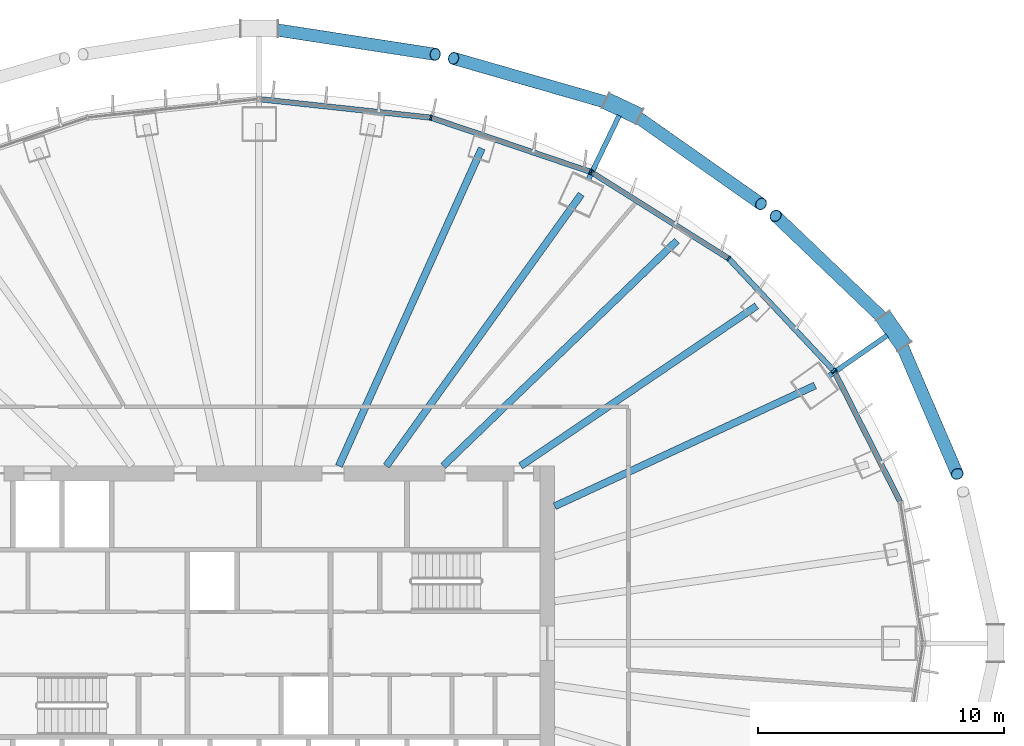
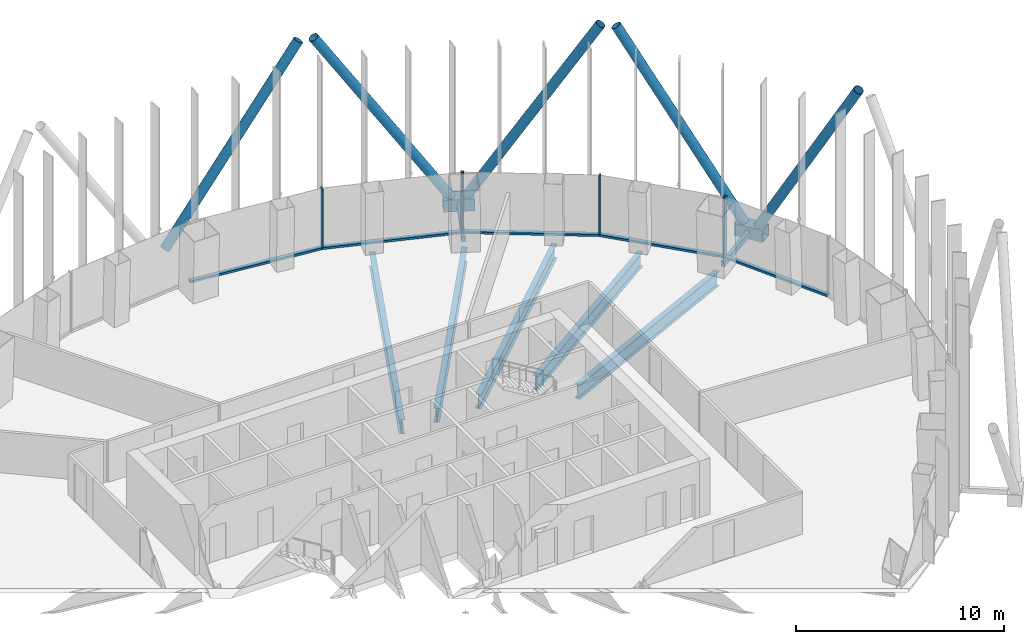
# One storey, part 5 of 21: 20 members, 5 beams, 3 elements without a shape of their own.
"""IFC4 building model written with IfcOpenShell, lengths in metres."""

import ifcopenshell
import ifcopenshell.guid

model = None  # the IFC model being written
_history = None  # IfcOwnerHistory: only IFC2X3 demands one
_inside = {}  # id of a spatial element -> (the spatial element, [elements in it])
_under = {}  # id of a project, library or spatial element -> (it, [spatial elements below it])
_declared = {}  # id of a project -> (the project, [libraries it declares])
_typed = {}  # id of a type object -> (the type object, [elements of that type])
_made_of = {}  # id of a material, layer set ... -> (it, [elements and type objects made of it])


def new_model(schema):
    """Start an empty IFC model of exactly this schema.

    Asked for "IFC4X3", IfcOpenShell would pick the latest addendum, in which some entities
    have other attributes; the version numbers below select the first issue.
    IFC2X3 requires an IfcOwnerHistory on every rooted entity: one is made here for all.
    """
    global model, _history
    if schema == "IFC4X3":
        model = ifcopenshell.file(schema_version=(4, 3, 0, 0))
    else:
        model = ifcopenshell.file(schema=schema)
    _inside.clear()
    _under.clear()
    _declared.clear()
    _typed.clear()
    _made_of.clear()
    _history = None
    if model.schema == "IFC2X3":
        org = make("IfcOrganization", Name="unknown")
        user = make(
            "IfcPersonAndOrganization",
            ThePerson=make("IfcPerson", FamilyName="unknown"),
            TheOrganization=org,
        )
        app = make(
            "IfcApplication",
            ApplicationDeveloper=org,
            Version="unknown",
            ApplicationFullName="unknown",
            ApplicationIdentifier="unknown",
        )
        _history = make(
            "IfcOwnerHistory",
            OwningUser=user,
            OwningApplication=app,
            ChangeAction="ADDED",
            CreationDate=0,
        )
    return model


def make(cls, **values):
    """One entity of the class cls with the attributes given. An attribute that is None is left unset."""
    return model.create_entity(
        cls, **{name: value for name, value in values.items() if value is not None}
    )


def rooted(cls, **values):
    """An entity with a GlobalId (a new one), such as an element, a storey or a relation."""
    return make(cls, GlobalId=ifcopenshell.guid.new(), OwnerHistory=_history, **values)


def si_unit(unit_type, name, prefix=None):
    """IfcSIUnit, for example si_unit("LENGTHUNIT", "METRE", prefix="MILLI")."""
    return make("IfcSIUnit", UnitType=unit_type, Prefix=prefix, Name=name)


def assignment(units):
    """IfcUnitAssignment: the units of a project."""
    return None if units is None else make("IfcUnitAssignment", Units=units)


def point(xyz):
    """IfcCartesianPoint."""
    return None if xyz is None else make("IfcCartesianPoint", Coordinates=xyz)


def direction(xyz):
    """IfcDirection."""
    return None if xyz is None else make("IfcDirection", DirectionRatios=xyz)


def frame(location, z_axis=None, x_axis=None):
    """IfcAxis2Placement3D, a coordinate frame: its origin and axes. An axis left out is left unset."""
    return make(
        "IfcAxis2Placement3D",
        Location=point(location),
        Axis=direction(z_axis),
        RefDirection=direction(x_axis),
    )


def frame_2d(location, x_axis=None):
    """IfcAxis2Placement2D, a coordinate frame in the plane: its origin and x axis."""
    return make(
        "IfcAxis2Placement2D", Location=point(location), RefDirection=direction(x_axis)
    )


def origin():
    """The frame at (0, 0, 0) with its axes left unset."""
    return frame((0.0, 0.0, 0.0))


def origin_2d():
    """The frame at (0, 0) in the plane with its x axis left unset."""
    return frame_2d((0.0, 0.0))


def place(relative_to, where):
    """IfcLocalPlacement: puts the frame where relative to a parent placement (None: the world)."""
    return make(
        "IfcLocalPlacement", PlacementRelTo=relative_to, RelativePlacement=where
    )


def context(
    kind, dimensions, precision=None, world=None, true_north=None, identifier=None
):
    """IfcGeometricRepresentationContext, for example the 3D "Model" context."""
    return make(
        "IfcGeometricRepresentationContext",
        ContextIdentifier=identifier,
        ContextType=kind,
        CoordinateSpaceDimension=dimensions,
        Precision=precision,
        WorldCoordinateSystem=world,
        TrueNorth=true_north,
    )


def subcontext(parent, identifier, kind, view, scale=None):
    """IfcGeometricRepresentationSubContext, for example "Body" below "Model"."""
    return make(
        "IfcGeometricRepresentationSubContext",
        ContextIdentifier=identifier,
        ContextType=kind,
        ParentContext=parent,
        TargetScale=scale,
        TargetView=view,
    )


def project(units=None, contexts=None):
    """IfcProject with its units and contexts."""
    return rooted(
        "IfcProject",
        Name="project",
        RepresentationContexts=contexts,
        UnitsInContext=assignment(units),
    )


def spatial(cls, under=None, at=None, **own):
    """A site, building, storey or space (cls), placed at a placement, below another one or the project."""
    s = rooted(cls, ObjectPlacement=at, **own)
    if under is not None:
        _under.setdefault(under.id(), (under, []))[1].append(s)
    return s


def profile(cls, at=None, kind="AREA", **sizes):
    """A parametric profile (cls). Its sizes go by their IFC names, for example OverallWidth=200.0."""
    return make(cls, ProfileType=kind, Position=at, **sizes)


def rectangle(**sizes):
    """IfcRectangleProfileDef."""
    return profile("IfcRectangleProfileDef", **sizes)


def hollow_rectangle(**sizes):
    """IfcRectangleHollowProfileDef."""
    return profile("IfcRectangleHollowProfileDef", **sizes)


def hollow_circle(**sizes):
    """IfcCircleHollowProfileDef."""
    return profile("IfcCircleHollowProfileDef", **sizes)


def i_section(**sizes):
    """IfcIShapeProfileDef."""
    return profile("IfcIShapeProfileDef", **sizes)


def extrude(swept, where, along, depth):
    """IfcExtrudedAreaSolid: the profile swept, set in the frame where, extruded along a direction by depth."""
    return make(
        "IfcExtrudedAreaSolid",
        SweptArea=swept,
        Position=where,
        ExtrudedDirection=direction(along),
        Depth=depth,
    )


def shape(context_of_items, identifier, shape_type, items):
    """IfcShapeRepresentation: the items that make up one representation, for example the "Body"."""
    return make(
        "IfcShapeRepresentation",
        ContextOfItems=context_of_items,
        RepresentationIdentifier=identifier,
        RepresentationType=shape_type,
        Items=items,
    )


def material(Name=None, Category=None):
    """IfcMaterial."""
    return make("IfcMaterial", Name=Name, Category=Category)


def layer(
    of_material, thickness, ventilated=None, Name=None, Category=None, Priority=None
):
    """IfcMaterialLayer: one layer of a wall or slab, of a material (None: an air gap)."""
    return make(
        "IfcMaterialLayer",
        Material=of_material,
        LayerThickness=thickness,
        IsVentilated=ventilated,
        Name=Name,
        Category=Category,
        Priority=Priority,
    )


def layer_set(layers, Name=None):
    """IfcMaterialLayerSet."""
    return make("IfcMaterialLayerSet", MaterialLayers=layers, LayerSetName=Name)


def material_profile(
    of_material, cross_section, Name=None, Category=None, Priority=None
):
    """IfcMaterialProfile: a cross section and its material."""
    return make(
        "IfcMaterialProfile",
        Name=Name,
        Material=of_material,
        Profile=cross_section,
        Priority=Priority,
        Category=Category,
    )


def profile_set(profiles, Name=None, composite=None):
    """IfcMaterialProfileSet."""
    return make(
        "IfcMaterialProfileSet",
        Name=Name,
        MaterialProfiles=profiles,
        CompositeProfile=composite,
    )


def made_of(thing, what):
    """Note that an element or type object is made of a material, layer set ...; save() writes the relation."""
    if what is not None:
        _made_of.setdefault(what.id(), (what, []))[1].append(thing)
    return thing


def type_object(cls, material=None, **own):
    """A type object (cls), such as IfcWallType, which elements share."""
    return made_of(rooted(cls, **own), material)


def element(
    cls,
    number,
    at=None,
    inside=None,
    cuts=None,
    type_object=None,
    material=None,
    context=None,
    identifier="Body",
    shape_type=None,
    held_by="IfcProductDefinitionShape",
    body=None,
    shapes=None,
    **own,
):
    """One element of the class cls, such as IfcWall. Its Tag is "e" and its number.

    at: its placement. inside: the storey or other place that contains it. cuts: it is an
    opening in that element (IfcRelVoidsElement). A single representation is given by context,
    identifier, shape_type and body (its items); several are given by shapes. held_by: the class
    of the entity that holds the representations. save() writes the other relations.
    """
    e = rooted(cls, Tag="e%d" % number, ObjectPlacement=at, **own)
    if body is not None:
        shapes = [shape(context, identifier, shape_type, body)]
    if shapes is not None:
        e.Representation = make(held_by, Representations=shapes)
    if inside is not None:
        _inside.setdefault(inside.id(), (inside, []))[1].append(e)
    if cuts is not None:
        rooted(
            "IfcRelVoidsElement", RelatingBuildingElement=cuts, RelatedOpeningElement=e
        )
    if type_object is not None:
        _typed.setdefault(type_object.id(), (type_object, []))[1].append(e)
    return made_of(e, material)


def aggregate(whole, parts):
    """IfcRelAggregates: a whole, such as a stair, and the parts it consists of."""
    return rooted("IfcRelAggregates", RelatingObject=whole, RelatedObjects=parts)


def save(model, path):
    """Write the relations noted so far, then the file.

    IfcRelAggregates (storeys below a building ...), IfcRelContainedInSpatialStructure (elements
    in a storey), IfcRelDefinesByType, IfcRelAssociatesMaterial and IfcRelDeclares: one each for
    every whole, place, type object, material and project.
    """
    for whole, parts in _under.values():
        aggregate(whole, parts)
    for where, things in _inside.values():
        rooted(
            "IfcRelContainedInSpatialStructure",
            RelatedElements=things,
            RelatingStructure=where,
        )
    for kind, things in _typed.values():
        rooted("IfcRelDefinesByType", RelatedObjects=things, RelatingType=kind)
    for what, things in _made_of.values():
        rooted("IfcRelAssociatesMaterial", RelatedObjects=things, RelatingMaterial=what)
    for by, libraries in _declared.values():
        rooted("IfcRelDeclares", RelatingContext=by, RelatedDefinitions=libraries)
    model.write(path)


model = new_model("IFC4")

# Units and contexts
model_context = context("Model", 3, precision=1e-05, world=origin(), true_north=direction((0.0, 1.0)))
body_context = subcontext(model_context, "Body", "Model", "MODEL_VIEW")
ifc_project = project(units=[si_unit("LENGTHUNIT", "METRE"), si_unit("AREAUNIT", "SQUARE_METRE"), si_unit("VOLUMEUNIT", "CUBIC_METRE"), si_unit("PLANEANGLEUNIT", "RADIAN"), si_unit("MASSUNIT", "GRAM", prefix="KILO")], contexts=[model_context])

# Site, building, storey
site_placement = place(None, origin())
site = spatial("IfcSite", under=ifc_project, at=site_placement, CompositionType="ELEMENT")
building_placement = place(site_placement, origin())
building = spatial("IfcBuilding", under=site, at=building_placement, Name="Siaravel Broadcast Tower", CompositionType="ELEMENT")
storey_placement = place(building_placement, frame((0.0, 0.0, 70.39990234375)))
storey = spatial("IfcBuildingStorey", under=building, at=storey_placement, Name="L16", CompositionType="ELEMENT", Elevation=70.39990234375)

# Beams
ifc_material_1 = material(Name="Steel S355", Category="steel")
ifc_material_profile_1 = material_profile(ifc_material_1, i_section(OverallWidth=0.291748046875, OverallDepth=0.8349609375, WebThickness=0.013916015625, FlangeThickness=0.018798828125, FilletRadius=0.017822265625, at=origin_2d()))
ifc_profile_set_1 = profile_set([ifc_material_profile_1], Name="Steel S355")
beam_type = type_object("IfcBeamType", Name="BM-UB 838x292x176", PredefinedType="BEAM", material=ifc_profile_set_1)
beam_1_placement = place(storey_placement, frame((22.5751953125, 10.467529296875, -0.5673828125), z_axis=(-0.907224841, -0.420646036, 0.0), x_axis=(0.420646036, -0.907224841, 0.0)))
element("IfcBeam", 1, at=beam_1_placement, inside=storey, type_object=beam_type, Name="Radial beam RB04", PredefinedType="BEAM", context=body_context, shape_type="SweptSolid", body=[
    extrude(i_section(OverallWidth=0.291748046875, OverallDepth=0.8349609375, WebThickness=0.013916015625, FlangeThickness=0.018798828125, FilletRadius=0.017822265625, at=origin_2d()), origin(), (0.0, 0.0, 1.0), 11.65673828125),
])
beam_2_placement = place(storey_placement, frame((20.205322265625, 13.69921875, -0.5673828125), z_axis=(-0.827695388, -0.561177641, 0.0), x_axis=(0.561177641, -0.827695388, 0.0)))
element("IfcBeam", 2, at=beam_2_placement, inside=storey, type_object=beam_type, Name="Radial beam RB05", PredefinedType="BEAM", context=body_context, shape_type="SweptSolid", body=[
    extrude(i_section(OverallWidth=0.291748046875, OverallDepth=0.8349609375, WebThickness=0.013916015625, FlangeThickness=0.018798828125, FilletRadius=0.017822265625, at=origin_2d()), origin(), (0.0, 0.0, 1.0), 11.58154296875),
])
beam_3_placement = place(storey_placement, frame((16.97021484375, 16.348876953125, -0.5673828125), z_axis=(-0.72016602, -0.693801775, 0.0), x_axis=(0.693801775, -0.72016602, 0.0)))
element("IfcBeam", 3, at=beam_3_placement, inside=storey, type_object=beam_type, Name="Radial beam RB06", PredefinedType="BEAM", context=body_context, shape_type="SweptSolid", body=[
    extrude(i_section(OverallWidth=0.291748046875, OverallDepth=0.8349609375, WebThickness=0.013916015625, FlangeThickness=0.018798828125, FilletRadius=0.017822265625, at=origin_2d()), origin(), (0.0, 0.0, 1.0), 13.186767578125),
])
beam_4_placement = place(storey_placement, frame((13.08251953125, 18.233642578125, -0.5673828125), z_axis=(-0.582957933, -0.812502338, 0.0), x_axis=(0.812502338, -0.582957933, 0.0)))
element("IfcBeam", 4, at=beam_4_placement, inside=storey, type_object=beam_type, Name="Radial beam RB07", PredefinedType="BEAM", context=body_context, shape_type="SweptSolid", body=[
    extrude(i_section(OverallWidth=0.291748046875, OverallDepth=0.8349609375, WebThickness=0.013916015625, FlangeThickness=0.018798828125, FilletRadius=0.017822265625, at=origin_2d()), origin(), (0.0, 0.0, 1.0), 13.579833984375),
])
beam_5_placement = place(storey_placement, frame((9.0419921875, 20.096923828125, -0.5673828125), z_axis=(-0.410297202, -0.911951866, 0.0), x_axis=(0.911951866, -0.410297202, 0.0)))
element("IfcBeam", 5, at=beam_5_placement, inside=storey, type_object=beam_type, Name="Radial beam RB08", PredefinedType="BEAM", context=body_context, shape_type="SweptSolid", body=[
    extrude(i_section(OverallWidth=0.291748046875, OverallDepth=0.8349609375, WebThickness=0.013916015625, FlangeThickness=0.018798828125, FilletRadius=0.017822265625, at=origin_2d()), origin(), (0.0, 0.0, 1.0), 14.14208984375),
])

# Curtain wall, member
ifc_material_2 = material(Name="Aluminium 6063-T6", Category="aluminium")
ifc_layer = layer(ifc_material_2, 0.219970703125)
ifc_layer_set = layer_set([ifc_layer], Name="Aluminium 6063-T6")
curtain_wall_type = type_object("IfcCurtainWallType", Name="Unitised curtain wall, zone 1", PredefinedType="NOTDEFINED", material=ifc_layer_set)
curtain_wall_1_placement = place(storey_placement, origin())
curtain_wall_1 = element("IfcCurtainWall", 6, at=curtain_wall_1_placement, inside=storey, type_object=curtain_wall_type, Name="L16 Unitised curtain wall, zone 1 01", PredefinedType="NOTDEFINED")
ifc_material_profile_2 = material_profile(ifc_material_2, rectangle(XDim=0.219970703125, YDim=0.070068359375, at=origin_2d()))
ifc_profile_set_2 = profile_set([ifc_material_profile_2], Name="Aluminium 6063-T6")
member_type_1 = type_object("IfcMemberType", Name="CW-Z1 mullion", PredefinedType="MULLION", material=ifc_profile_set_2)
member_1_placement = place(storey_placement, frame((23.364501953125, 11.020263671875, 0.0), z_axis=(0.0, 0.0, 1.0), x_axis=(-0.892392184, -0.451260668, 0.0)))
member_1 = element("IfcMember", 7, at=member_1_placement, type_object=member_type_1, Name="CW-Z1 mullion 3", PredefinedType="MULLION", context=body_context, shape_type="SweptSolid", body=[
    extrude(rectangle(XDim=0.219970703125, YDim=0.070068359375, at=origin_2d()), origin(), (0.0, 0.0, 1.0), 3.550048828125),
])

# Curtain wall, members
curtain_wall_2_placement = place(storey_placement, origin())
curtain_wall_2 = element("IfcCurtainWall", 8, at=curtain_wall_2_placement, inside=storey, type_object=curtain_wall_type, Name="L16 Unitised curtain wall, zone 1 02", PredefinedType="NOTDEFINED")
member_2_placement = place(storey_placement, frame((23.32470703125, 11.076904296875, 0.0), z_axis=(0.0, 0.0, 1.0), x_axis=(-0.729805583, -0.683654746, 0.0)))
member_2 = element("IfcMember", 9, at=member_2_placement, type_object=member_type_1, Name="CW-Z1 mullion 1", PredefinedType="MULLION", context=body_context, shape_type="SweptSolid", body=[
    extrude(rectangle(XDim=0.219970703125, YDim=0.070068359375, at=origin_2d()), origin(), (0.0, 0.0, 1.0), 3.550048828125),
])
member_3_placement = place(storey_placement, frame((19.0625, 15.627197265625, 0.0), z_axis=(0.0, 0.0, 1.0), x_axis=(-0.63621907, -0.771508454, 0.0)))
member_3 = element("IfcMember", 10, at=member_3_placement, type_object=member_type_1, Name="CW-Z1 mullion 2", PredefinedType="MULLION", context=body_context, shape_type="SweptSolid", body=[
    extrude(rectangle(XDim=0.219970703125, YDim=0.070068359375, at=origin_2d()), origin(), (0.0, 0.0, 1.0), 3.550048828125),
])
member_4_placement = place(storey_placement, frame((13.5078125, 19.118408203125, 0.0), z_axis=(0.0, 0.0, 1.0), x_axis=(-0.532149761, -0.846650242, 0.0)))
member_4 = element("IfcMember", 11, at=member_4_placement, type_object=member_type_1, Name="CW-Z1 mullion 3", PredefinedType="MULLION", context=body_context, shape_type="SweptSolid", body=[
    extrude(rectangle(XDim=0.219970703125, YDim=0.070068359375, at=origin_2d()), origin(), (0.0, 0.0, 1.0), 3.550048828125),
])

curtain_wall_3_placement = place(storey_placement, origin())
curtain_wall_3 = element("IfcCurtainWall", 12, at=curtain_wall_3_placement, inside=storey, type_object=curtain_wall_type, Name="L16 Unitised curtain wall, zone 1 03", PredefinedType="NOTDEFINED")
member_5_placement = place(storey_placement, frame((13.445068359375, 19.148193359375, 0.0), z_axis=(0.0, 0.0, 1.0), x_axis=(-0.321301105, -0.946977085, 0.0)))
member_5 = element("IfcMember", 13, at=member_5_placement, type_object=member_type_1, Name="CW-Z1 mullion 1", PredefinedType="MULLION", context=body_context, shape_type="SweptSolid", body=[
    extrude(rectangle(XDim=0.219970703125, YDim=0.070068359375, at=origin_2d()), origin(), (0.0, 0.0, 1.0), 3.550048828125),
])
member_6_placement = place(storey_placement, frame((6.9765625, 21.343017578125, 0.0), z_axis=(0.0, 0.0, 1.0), x_axis=(-0.21555841, -0.976490948, 0.0)))
member_6 = element("IfcMember", 14, at=member_6_placement, type_object=member_type_1, Name="CW-Z1 mullion 2", PredefinedType="MULLION", context=body_context, shape_type="SweptSolid", body=[
    extrude(rectangle(XDim=0.219970703125, YDim=0.070068359375, at=origin_2d()), origin(), (0.0, 0.0, 1.0), 3.550048828125),
])

# Member
ifc_material_profile_3 = material_profile(ifc_material_2, rectangle(XDim=0.219970703125, YDim=0.1201171875, at=origin_2d()))
ifc_profile_set_3 = profile_set([ifc_material_profile_3], Name="Aluminium 6063-T6")
member_type_2 = type_object("IfcMemberType", Name="CW-Z1 transom", PredefinedType="USERDEFINED", material=ifc_profile_set_3)
member_7_placement = place(storey_placement, frame((26.0283203125, 5.75244140625, 0.06005859375), z_axis=(-0.451253077, 0.892396022, 0.0), x_axis=(-0.892396022, -0.451253077, 0.0)))
member_7 = element("IfcMember", 15, at=member_7_placement, type_object=member_type_2, Name="CW-Z1 transom 2", ObjectType="TRANSOM", PredefinedType="USERDEFINED", context=body_context, shape_type="SweptSolid", body=[
    extrude(rectangle(XDim=0.219970703125, YDim=0.1201171875, at=origin_2d()), origin(), (0.0, 0.0, 1.0), 5.867919921875),
])

aggregate(curtain_wall_1, [member_1, member_7])

member_8_placement = place(storey_placement, frame((23.30078125, 11.1025390625, 0.06005859375), z_axis=(-0.683640708, 0.729818733, 0.0), x_axis=(-0.729818733, -0.683640708, 0.0)))
member_8 = element("IfcMember", 16, at=member_8_placement, type_object=member_type_2, Name="CW-Z1 transom 1", ObjectType="TRANSOM", PredefinedType="USERDEFINED", context=body_context, shape_type="SweptSolid", body=[
    extrude(rectangle(XDim=0.219970703125, YDim=0.1201171875, at=origin_2d()), origin(), (0.0, 0.0, 1.0), 6.16455078125),
])

member_9_placement = place(storey_placement, frame((19.03271484375, 15.645751953125, 0.06005859375), z_axis=(-0.846662211, 0.532130717, 0.0), x_axis=(-0.532130717, -0.846662211, 0.0)))
member_9 = element("IfcMember", 17, at=member_9_placement, type_object=member_type_2, Name="CW-Z1 transom 2", ObjectType="TRANSOM", PredefinedType="USERDEFINED", context=body_context, shape_type="SweptSolid", body=[
    extrude(rectangle(XDim=0.219970703125, YDim=0.1201171875, at=origin_2d()), origin(), (0.0, 0.0, 1.0), 6.49072265625),
])

aggregate(curtain_wall_2, [member_2, member_3, member_4, member_8, member_9])

member_10_placement = place(storey_placement, frame((13.411865234375, 19.159423828125, 0.06005859375), z_axis=(-0.946972422, 0.321314849, 0.0), x_axis=(-0.321314849, -0.946972422, 0.0)))
member_10 = element("IfcMember", 18, at=member_10_placement, type_object=member_type_2, Name="CW-Z1 transom 1", ObjectType="TRANSOM", PredefinedType="USERDEFINED", context=body_context, shape_type="SweptSolid", body=[
    extrude(rectangle(XDim=0.219970703125, YDim=0.1201171875, at=origin_2d()), origin(), (0.0, 0.0, 1.0), 6.7607421875),
])

member_11_placement = place(storey_placement, frame((6.941650390625, 21.3466796875, 0.06005859375), z_axis=(-0.99423354, 0.107236501, 0.0), x_axis=(-0.107236501, -0.99423354, 0.0)))
member_11 = element("IfcMember", 19, at=member_11_placement, type_object=member_type_2, Name="CW-Z1 transom 2", ObjectType="TRANSOM", PredefinedType="USERDEFINED", context=body_context, shape_type="SweptSolid", body=[
    extrude(rectangle(XDim=0.219970703125, YDim=0.1201171875, at=origin_2d()), origin(), (0.0, 0.0, 1.0), 6.911865234375),
])

aggregate(curtain_wall_3, [member_5, member_6, member_10, member_11])

# Members
ifc_material_3 = material(Name="Steel S460", Category="steel")
ifc_material_profile_4 = material_profile(ifc_material_3, hollow_circle(Radius=0.25390625, WallThickness=0.02001953125, at=origin_2d()))
ifc_profile_set_4 = profile_set([ifc_material_profile_4], Name="Steel S460")
member_type_3 = type_object("IfcMemberType", Name="Diagrid diagonal CHS 508x20", PredefinedType="BRACE", material=ifc_profile_set_4)
member_12_placement = place(storey_placement, frame((25.984375, 12.367919921875, 0.1201171875), z_axis=(0.196300242, -0.455899612, 0.868113909), x_axis=(0.918476496, 0.395475569, 0.0)))
element("IfcMember", 20, at=member_12_placement, inside=storey, type_object=member_type_3, Name="Diagrid diagonal R07 station 06C", PredefinedType="BRACE", context=body_context, shape_type="SweptSolid", body=[
    extrude(hollow_circle(Radius=0.25390625, WallThickness=0.02001953125, at=origin_2d()), origin(), (0.0, 0.0, 1.0), 12.049072265625),
])
member_13_placement = place(storey_placement, frame((25.547119140625, 12.988037109375, 0.1201171875), z_axis=(-0.37426482, 0.357569586, 0.855610797), x_axis=(-0.690795924, -0.723049785, 0.0)))
element("IfcMember", 21, at=member_13_placement, inside=storey, type_object=member_type_3, Name="Diagrid diagonal R07 station 06A", PredefinedType="BRACE", context=body_context, shape_type="SweptSolid", body=[
    extrude(hollow_circle(Radius=0.25390625, WallThickness=0.02001953125, at=origin_2d()), origin(), (0.0, 0.0, 1.0), 12.22509765625),
])
member_14_placement = place(storey_placement, frame((15.103515625, 21.552490234375, 0.1201171875), z_axis=(0.429662089, -0.302026707, 0.850981996), x_axis=(0.575075518, 0.818100329, 0.0)))
element("IfcMember", 22, at=member_14_placement, inside=storey, type_object=member_type_3, Name="Diagrid diagonal R07 station 12C", PredefinedType="BRACE", context=body_context, shape_type="SweptSolid", body=[
    extrude(hollow_circle(Radius=0.25390625, WallThickness=0.02001953125, at=origin_2d()), origin(), (0.0, 0.0, 1.0), 12.291748046875),
])
member_15_placement = place(storey_placement, frame((14.41748046875, 21.876953125, 0.1201171875), z_axis=(-0.523174045, 0.150406909, 0.838848425), x_axis=(-0.276297874, -0.96107205, 0.0)))
element("IfcMember", 23, at=member_15_placement, inside=storey, type_object=member_type_3, Name="Diagrid diagonal R07 station 12A", PredefinedType="BRACE", context=body_context, shape_type="SweptSolid", body=[
    extrude(hollow_circle(Radius=0.25390625, WallThickness=0.02001953125, at=origin_2d()), origin(), (0.0, 0.0, 1.0), 12.469482421875),
])
member_16_placement = place(storey_placement, frame((0.37939453125, 24.9599609375, 0.1201171875), z_axis=(0.541632288, -0.083559319, 0.836452213), x_axis=(0.152469417, 0.988308189, 0.0)))
element("IfcMember", 24, at=member_16_placement, inside=storey, type_object=member_type_3, Name="Diagrid diagonal R07 station 18C", PredefinedType="BRACE", context=body_context, shape_type="SweptSolid", body=[
    extrude(hollow_circle(Radius=0.25390625, WallThickness=0.02001953125, at=origin_2d()), origin(), (0.0, 0.0, 1.0), 12.505126953125),
])
ifc_material_profile_5 = material_profile(ifc_material_3, hollow_rectangle(XDim=0.699951171875, YDim=0.699951171875, WallThickness=0.0400390625, at=origin_2d()))
ifc_profile_set_5 = profile_set([ifc_material_profile_5], Name="Steel S460")
member_type_4 = type_object("IfcMemberType", Name="Diagrid node BOX 700x700x40", PredefinedType="USERDEFINED", material=ifc_profile_set_5)
for number, where, z_axis, x_axis, name in (
    (25, (26.19970703125, 12.06201171875, -0.199951171875), (-0.576015054, 0.817439085, 0.0), (-0.817439085, -0.576015054, 0.0), "Diagrid node R07 station 06"),
    (26, (15.44140625, 21.392578125, -0.199951171875), (-0.903968656, 0.427598724, 0.0), (-0.427598724, -0.903968656, 0.0), "Diagrid node R07 station 12"),
):
    element("IfcMember", number, at=place(storey_placement, frame(where, z_axis=z_axis, x_axis=x_axis)), inside=storey, type_object=member_type_4, Name=name, ObjectType="DIAGRID NODE", PredefinedType="USERDEFINED", context=body_context, shape_type="SweptSolid", body=[
        extrude(hollow_rectangle(XDim=0.699951171875, YDim=0.699951171875, WallThickness=0.0400390625, at=origin_2d()), origin(), (0.0, 0.0, 1.0), 1.5068359375),
    ])
ifc_material_profile_6 = material_profile(ifc_material_3, hollow_rectangle(XDim=0.199951171875, YDim=0.300048828125, WallThickness=0.012451171875, at=origin_2d()))
ifc_profile_set_6 = profile_set([ifc_material_profile_6], Name="Steel S460")
member_type_5 = type_object("IfcMemberType", Name="Diagrid node arm RHS 300x200x12.5", PredefinedType="STRUT", material=ifc_profile_set_6)
member_17_placement = place(storey_placement, frame((23.1259765625, 10.84912109375, -0.199951171875), z_axis=(0.822018884, 0.569460231, 0.0), x_axis=(-0.569460231, 0.822018884, 0.0)))
element("IfcMember", 27, at=member_17_placement, inside=storey, type_object=member_type_5, Name="Node arm R07 station 06", PredefinedType="STRUT", context=body_context, shape_type="SweptSolid", body=[
    extrude(hollow_rectangle(XDim=0.199951171875, YDim=0.300048828125, WallThickness=0.012451171875, at=origin_2d()), origin(), (0.0, 0.0, 1.0), 2.891357421875),
])
member_18_placement = place(storey_placement, frame((13.37353515625, 18.837158203125, -0.199951171875), z_axis=(0.434188426, 0.900822075, 0.0), x_axis=(-0.900822075, 0.434188426, 0.0)))
element("IfcMember", 28, at=member_18_placement, inside=storey, type_object=member_type_5, Name="Node arm R07 station 12", PredefinedType="STRUT", context=body_context, shape_type="SweptSolid", body=[
    extrude(hollow_rectangle(XDim=0.199951171875, YDim=0.300048828125, WallThickness=0.012451171875, at=origin_2d()), origin(), (0.0, 0.0, 1.0), 2.87451171875),
])

save(model, "model.ifc")
